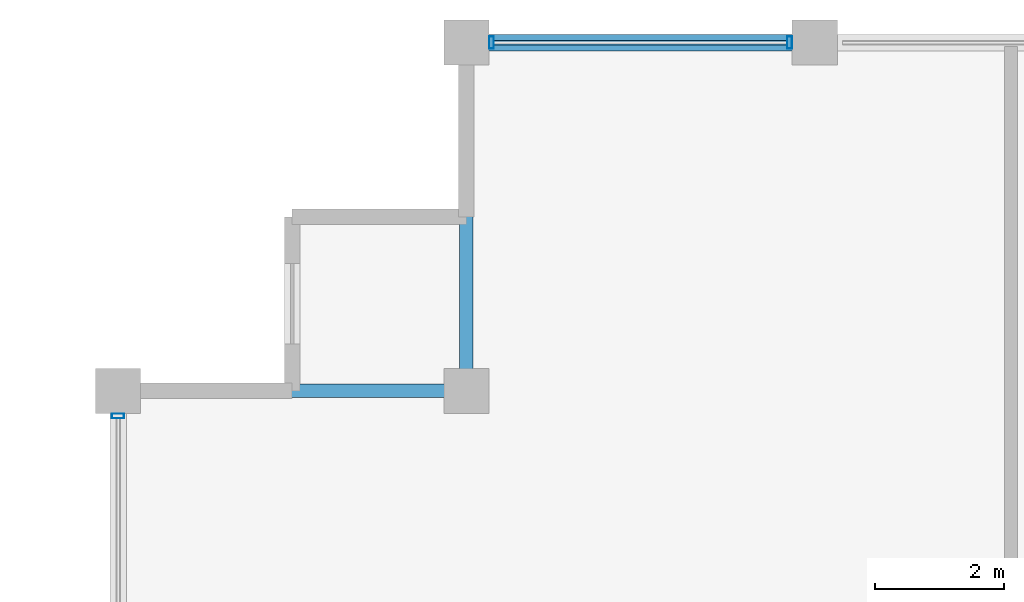
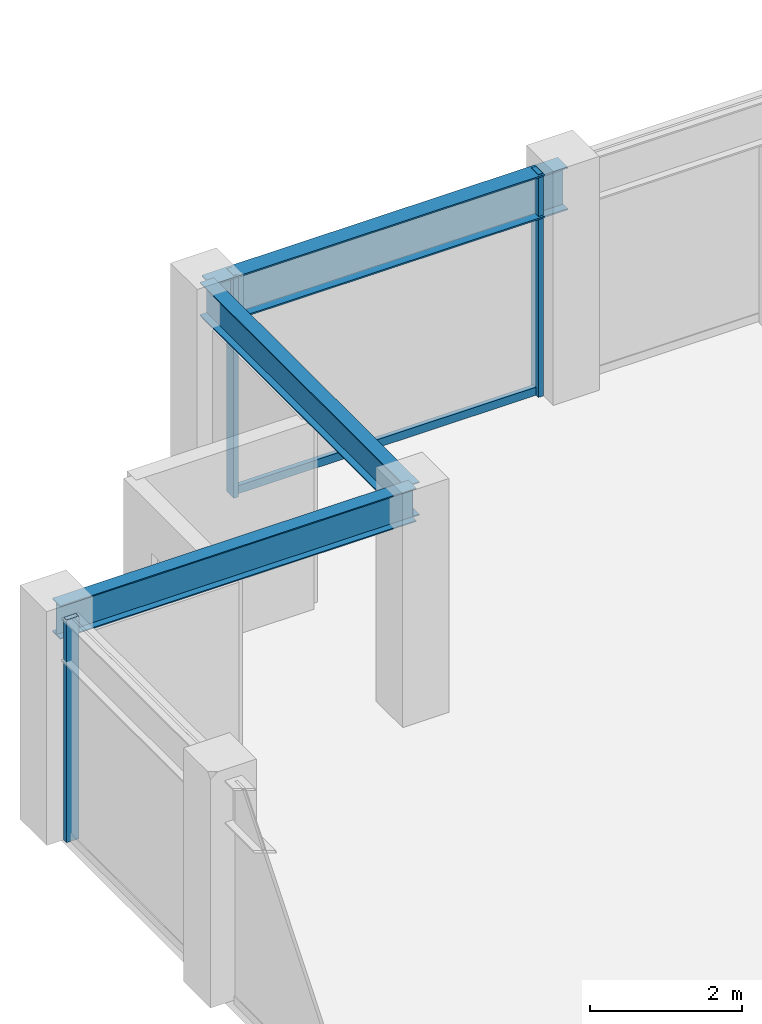
# One storey, part 15 of 30: 4 members, 3 beams, 2 elements without a shape of their own.
"""IFC4 building model written with IfcOpenShell, lengths in metres."""

import ifcopenshell
import ifcopenshell.guid

model = None  # the IFC model being written
_history = None  # IfcOwnerHistory: only IFC2X3 demands one
_inside = {}  # id of a spatial element -> (the spatial element, [elements in it])
_under = {}  # id of a project, library or spatial element -> (it, [spatial elements below it])
_declared = {}  # id of a project -> (the project, [libraries it declares])
_typed = {}  # id of a type object -> (the type object, [elements of that type])
_made_of = {}  # id of a material, layer set ... -> (it, [elements and type objects made of it])


def new_model(schema):
    """Start an empty IFC model of exactly this schema.

    Asked for "IFC4X3", IfcOpenShell would pick the latest addendum, in which some entities
    have other attributes; the version numbers below select the first issue.
    IFC2X3 requires an IfcOwnerHistory on every rooted entity: one is made here for all.
    """
    global model, _history
    if schema == "IFC4X3":
        model = ifcopenshell.file(schema_version=(4, 3, 0, 0))
    else:
        model = ifcopenshell.file(schema=schema)
    _inside.clear()
    _under.clear()
    _declared.clear()
    _typed.clear()
    _made_of.clear()
    _history = None
    if model.schema == "IFC2X3":
        org = make("IfcOrganization", Name="unknown")
        user = make(
            "IfcPersonAndOrganization",
            ThePerson=make("IfcPerson", FamilyName="unknown"),
            TheOrganization=org,
        )
        app = make(
            "IfcApplication",
            ApplicationDeveloper=org,
            Version="unknown",
            ApplicationFullName="unknown",
            ApplicationIdentifier="unknown",
        )
        _history = make(
            "IfcOwnerHistory",
            OwningUser=user,
            OwningApplication=app,
            ChangeAction="ADDED",
            CreationDate=0,
        )
    return model


def make(cls, **values):
    """One entity of the class cls with the attributes given. An attribute that is None is left unset."""
    return model.create_entity(
        cls, **{name: value for name, value in values.items() if value is not None}
    )


def rooted(cls, **values):
    """An entity with a GlobalId (a new one), such as an element, a storey or a relation."""
    return make(cls, GlobalId=ifcopenshell.guid.new(), OwnerHistory=_history, **values)


def si_unit(unit_type, name, prefix=None):
    """IfcSIUnit, for example si_unit("LENGTHUNIT", "METRE", prefix="MILLI")."""
    return make("IfcSIUnit", UnitType=unit_type, Prefix=prefix, Name=name)


def assignment(units):
    """IfcUnitAssignment: the units of a project."""
    return None if units is None else make("IfcUnitAssignment", Units=units)


def point(xyz):
    """IfcCartesianPoint."""
    return None if xyz is None else make("IfcCartesianPoint", Coordinates=xyz)


def direction(xyz):
    """IfcDirection."""
    return None if xyz is None else make("IfcDirection", DirectionRatios=xyz)


def frame(location, z_axis=None, x_axis=None):
    """IfcAxis2Placement3D, a coordinate frame: its origin and axes. An axis left out is left unset."""
    return make(
        "IfcAxis2Placement3D",
        Location=point(location),
        Axis=direction(z_axis),
        RefDirection=direction(x_axis),
    )


def frame_2d(location, x_axis=None):
    """IfcAxis2Placement2D, a coordinate frame in the plane: its origin and x axis."""
    return make(
        "IfcAxis2Placement2D", Location=point(location), RefDirection=direction(x_axis)
    )


def origin():
    """The frame at (0, 0, 0) with its axes left unset."""
    return frame((0.0, 0.0, 0.0))


def origin_2d():
    """The frame at (0, 0) in the plane with its x axis left unset."""
    return frame_2d((0.0, 0.0))


def place(relative_to, where):
    """IfcLocalPlacement: puts the frame where relative to a parent placement (None: the world)."""
    return make(
        "IfcLocalPlacement", PlacementRelTo=relative_to, RelativePlacement=where
    )


def context(
    kind, dimensions, precision=None, world=None, true_north=None, identifier=None
):
    """IfcGeometricRepresentationContext, for example the 3D "Model" context."""
    return make(
        "IfcGeometricRepresentationContext",
        ContextIdentifier=identifier,
        ContextType=kind,
        CoordinateSpaceDimension=dimensions,
        Precision=precision,
        WorldCoordinateSystem=world,
        TrueNorth=true_north,
    )


def subcontext(parent, identifier, kind, view, scale=None):
    """IfcGeometricRepresentationSubContext, for example "Body" below "Model"."""
    return make(
        "IfcGeometricRepresentationSubContext",
        ContextIdentifier=identifier,
        ContextType=kind,
        ParentContext=parent,
        TargetScale=scale,
        TargetView=view,
    )


def project(units=None, contexts=None):
    """IfcProject with its units and contexts."""
    return rooted(
        "IfcProject",
        Name="project",
        RepresentationContexts=contexts,
        UnitsInContext=assignment(units),
    )


def spatial(cls, under=None, at=None, **own):
    """A site, building, storey or space (cls), placed at a placement, below another one or the project."""
    s = rooted(cls, ObjectPlacement=at, **own)
    if under is not None:
        _under.setdefault(under.id(), (under, []))[1].append(s)
    return s


def profile(cls, at=None, kind="AREA", **sizes):
    """A parametric profile (cls). Its sizes go by their IFC names, for example OverallWidth=200.0."""
    return make(cls, ProfileType=kind, Position=at, **sizes)


def hollow_rectangle(**sizes):
    """IfcRectangleHollowProfileDef."""
    return profile("IfcRectangleHollowProfileDef", **sizes)


def i_section(**sizes):
    """IfcIShapeProfileDef."""
    return profile("IfcIShapeProfileDef", **sizes)


def extrude(swept, where, along, depth):
    """IfcExtrudedAreaSolid: the profile swept, set in the frame where, extruded along a direction by depth."""
    return make(
        "IfcExtrudedAreaSolid",
        SweptArea=swept,
        Position=where,
        ExtrudedDirection=direction(along),
        Depth=depth,
    )


def shape(context_of_items, identifier, shape_type, items):
    """IfcShapeRepresentation: the items that make up one representation, for example the "Body"."""
    return make(
        "IfcShapeRepresentation",
        ContextOfItems=context_of_items,
        RepresentationIdentifier=identifier,
        RepresentationType=shape_type,
        Items=items,
    )


def material(Name=None, Category=None):
    """IfcMaterial."""
    return make("IfcMaterial", Name=Name, Category=Category)


def layer(
    of_material, thickness, ventilated=None, Name=None, Category=None, Priority=None
):
    """IfcMaterialLayer: one layer of a wall or slab, of a material (None: an air gap)."""
    return make(
        "IfcMaterialLayer",
        Material=of_material,
        LayerThickness=thickness,
        IsVentilated=ventilated,
        Name=Name,
        Category=Category,
        Priority=Priority,
    )


def layer_set(layers, Name=None):
    """IfcMaterialLayerSet."""
    return make("IfcMaterialLayerSet", MaterialLayers=layers, LayerSetName=Name)


def material_profile(
    of_material, cross_section, Name=None, Category=None, Priority=None
):
    """IfcMaterialProfile: a cross section and its material."""
    return make(
        "IfcMaterialProfile",
        Name=Name,
        Material=of_material,
        Profile=cross_section,
        Priority=Priority,
        Category=Category,
    )


def profile_set(profiles, Name=None, composite=None):
    """IfcMaterialProfileSet."""
    return make(
        "IfcMaterialProfileSet",
        Name=Name,
        MaterialProfiles=profiles,
        CompositeProfile=composite,
    )


def made_of(thing, what):
    """Note that an element or type object is made of a material, layer set ...; save() writes the relation."""
    if what is not None:
        _made_of.setdefault(what.id(), (what, []))[1].append(thing)
    return thing


def type_object(cls, material=None, **own):
    """A type object (cls), such as IfcWallType, which elements share."""
    return made_of(rooted(cls, **own), material)


def element(
    cls,
    number,
    at=None,
    inside=None,
    cuts=None,
    type_object=None,
    material=None,
    context=None,
    identifier="Body",
    shape_type=None,
    held_by="IfcProductDefinitionShape",
    body=None,
    shapes=None,
    **own,
):
    """One element of the class cls, such as IfcWall. Its Tag is "e" and its number.

    at: its placement. inside: the storey or other place that contains it. cuts: it is an
    opening in that element (IfcRelVoidsElement). A single representation is given by context,
    identifier, shape_type and body (its items); several are given by shapes. held_by: the class
    of the entity that holds the representations. save() writes the other relations.
    """
    e = rooted(cls, Tag="e%d" % number, ObjectPlacement=at, **own)
    if body is not None:
        shapes = [shape(context, identifier, shape_type, body)]
    if shapes is not None:
        e.Representation = make(held_by, Representations=shapes)
    if inside is not None:
        _inside.setdefault(inside.id(), (inside, []))[1].append(e)
    if cuts is not None:
        rooted(
            "IfcRelVoidsElement", RelatingBuildingElement=cuts, RelatedOpeningElement=e
        )
    if type_object is not None:
        _typed.setdefault(type_object.id(), (type_object, []))[1].append(e)
    return made_of(e, material)


def aggregate(whole, parts):
    """IfcRelAggregates: a whole, such as a stair, and the parts it consists of."""
    return rooted("IfcRelAggregates", RelatingObject=whole, RelatedObjects=parts)


def save(model, path):
    """Write the relations noted so far, then the file.

    IfcRelAggregates (storeys below a building ...), IfcRelContainedInSpatialStructure (elements
    in a storey), IfcRelDefinesByType, IfcRelAssociatesMaterial and IfcRelDeclares: one each for
    every whole, place, type object, material and project.
    """
    for whole, parts in _under.values():
        aggregate(whole, parts)
    for where, things in _inside.values():
        rooted(
            "IfcRelContainedInSpatialStructure",
            RelatedElements=things,
            RelatingStructure=where,
        )
    for kind, things in _typed.values():
        rooted("IfcRelDefinesByType", RelatedObjects=things, RelatingType=kind)
    for what, things in _made_of.values():
        rooted("IfcRelAssociatesMaterial", RelatedObjects=things, RelatingMaterial=what)
    for by, libraries in _declared.values():
        rooted("IfcRelDeclares", RelatingContext=by, RelatedDefinitions=libraries)
    model.write(path)


model = new_model("IFC4")

# Units and contexts
model_context = context("Model", 3, precision=1e-05, world=origin(), true_north=direction((0.0, 1.0)))
body_context = subcontext(model_context, "Body", "Model", "MODEL_VIEW")
ifc_project = project(units=[si_unit("LENGTHUNIT", "METRE"), si_unit("AREAUNIT", "SQUARE_METRE"), si_unit("VOLUMEUNIT", "CUBIC_METRE"), si_unit("PLANEANGLEUNIT", "RADIAN"), si_unit("MASSUNIT", "GRAM", prefix="KILO")], contexts=[model_context])

# Site, building, storey
site_placement = place(None, origin())
site = spatial("IfcSite", under=ifc_project, at=site_placement, CompositionType="ELEMENT")
building_placement = place(site_placement, origin())
building = spatial("IfcBuilding", under=site, at=building_placement, Name="Surkhivell Harbour Commons", CompositionType="ELEMENT")
storey_placement = place(building_placement, frame((0.0, 0.0, 307.5)))
storey = spatial("IfcBuildingStorey", under=building, at=storey_placement, Name="L80", CompositionType="ELEMENT", Elevation=307.5)

# Beams
ifc_material_1 = material(Name="Steel S355", Category="steel")
ifc_material_profile_1 = material_profile(ifc_material_1, i_section(OverallWidth=0.2099609375, OverallDepth=0.537109375, WebThickness=0.0107421875, FlangeThickness=0.017333984375, at=origin_2d()), Name="UB533x210x101")
ifc_profile_set_1 = profile_set([ifc_material_profile_1], Name="Steel S355")
beam_type_1 = type_object("IfcBeamType", Name="BM-GRD-533B", PredefinedType="BEAM", material=ifc_profile_set_1)
for number, where, z_axis, x_axis, name in (
    (1, (-27.0, 20.5, 3.301513671875), (1.0, 0.0, 0.0), (0.0, 1.0, 0.0), "L80 Floor Girder (-27.0,20.5)"),
    (2, (-21.60009765625, 20.5, 3.301513671875), (0.0, 1.0, 0.0), (-1.0, 0.0, 0.0), "L80 Floor Girder (-21.6,20.5)"),
):
    element("IfcBeam", number, at=place(storey_placement, frame(where, z_axis=z_axis, x_axis=x_axis)), inside=storey, type_object=beam_type_1, Name=name, PredefinedType="BEAM", context=body_context, shape_type="SweptSolid", body=[
        extrude(i_section(OverallWidth=0.2099609375, OverallDepth=0.537109375, WebThickness=0.0107421875, FlangeThickness=0.017333984375, at=origin_2d()), origin(), (0.0, 0.0, 1.0), 5.39990234375),
    ])
ifc_material_profile_2 = material_profile(ifc_material_1, i_section(OverallWidth=0.256103515625, OverallDepth=0.693115234375, WebThickness=0.014404296875, FlangeThickness=0.023681640625, at=origin_2d()), Name="UB686x254x170")
ifc_profile_set_2 = profile_set([ifc_material_profile_2], Name="Steel S355")
beam_type_2 = type_object("IfcBeamType", Name="BM-SPN-686", PredefinedType="SPANDREL", material=ifc_profile_set_2)
beam_placement = place(storey_placement, frame((-21.60009765625, 25.89990234375, 3.223388671875), z_axis=(1.0, 0.0, 0.0), x_axis=(0.0, 1.0, 0.0)))
element("IfcBeam", 3, at=beam_placement, inside=storey, type_object=beam_type_2, Name="L80 Tube Spandrel (-21.6,25.9)", PredefinedType="SPANDREL", context=body_context, shape_type="SweptSolid", body=[
    extrude(i_section(OverallWidth=0.256103515625, OverallDepth=0.693115234375, WebThickness=0.014404296875, FlangeThickness=0.023681640625, at=origin_2d()), origin(), (0.0, 0.0, 1.0), 5.400146484375),
])

# Curtain wall, members
ifc_material_2 = material(Name="Anodised pale-metal aluminium and insulated glazing", Category="aluminium")
ifc_layer = layer(ifc_material_2, 0.175048828125)
ifc_layer_set = layer_set([ifc_layer], Name="Anodised pale-metal aluminium and insulated glazing")
curtain_wall_type = type_object("IfcCurtainWallType", Name="CW-SYS-Z4", PredefinedType="NOTDEFINED", material=ifc_layer_set)
curtain_wall_1_placement = place(storey_placement, origin())
curtain_wall_1 = element("IfcCurtainWall", 4, at=curtain_wall_1_placement, inside=storey, type_object=curtain_wall_type, Name="L80 Curtain Wall CW-L80-E07S2", PredefinedType="NOTDEFINED")
ifc_material_3 = material(Name="Anodised pale-metal aluminium alloy 6063-T6", Category="aluminium")
ifc_material_profile_3 = material_profile(ifc_material_3, hollow_rectangle(XDim=0.074951171875, YDim=0.18994140625, WallThickness=0.00390625, at=origin_2d()), Name="ALU-MULL-75x190")
ifc_profile_set_3 = profile_set([ifc_material_profile_3], Name="Anodised pale-metal aluminium alloy 6063-T6")
member_type_1 = type_object("IfcMemberType", Name="CWM-190", PredefinedType="MULLION", material=ifc_profile_set_3)
member_1_placement = place(storey_placement, frame((-16.589599609375, 25.89990234375, 0.0), z_axis=(0.0, 0.0, 1.0), x_axis=(-1.0, 0.0, 0.0)))
member_1 = element("IfcMember", 5, at=member_1_placement, type_object=member_type_1, Name="CW-Z4 mullion 3", PredefinedType="MULLION", context=body_context, shape_type="SweptSolid", body=[
    extrude(hollow_rectangle(XDim=0.074951171875, YDim=0.18994140625, WallThickness=0.00390625, at=origin_2d()), origin(), (0.0, 0.0, 1.0), 3.570068359375),
])
member_2_placement = place(storey_placement, frame((-21.21044921875, 25.89990234375, 0.0), z_axis=(0.0, 0.0, 1.0), x_axis=(-1.0, 0.0, 0.0)))
member_2 = element("IfcMember", 6, at=member_2_placement, type_object=member_type_1, Name="CW-Z4 mullion 4", PredefinedType="MULLION", context=body_context, shape_type="SweptSolid", body=[
    extrude(hollow_rectangle(XDim=0.074951171875, YDim=0.18994140625, WallThickness=0.00390625, at=origin_2d()), origin(), (0.0, 0.0, 1.0), 3.570068359375),
])

# Curtain wall, member
curtain_wall_2_placement = place(storey_placement, origin())
curtain_wall_2 = element("IfcCurtainWall", 7, at=curtain_wall_2_placement, inside=storey, type_object=curtain_wall_type, Name="L80 Curtain Wall CW-L80-E12R2", PredefinedType="NOTDEFINED")
member_3_placement = place(storey_placement, frame((-27.0, 20.110595703125, 0.0), z_axis=(0.0, 0.0, 1.0), x_axis=(0.0, 1.0, 0.0)))
member_3 = element("IfcMember", 8, at=member_3_placement, type_object=member_type_1, Name="CW-Z4 mullion 4", PredefinedType="MULLION", context=body_context, shape_type="SweptSolid", body=[
    extrude(hollow_rectangle(XDim=0.074951171875, YDim=0.18994140625, WallThickness=0.00390625, at=origin_2d()), origin(), (0.0, 0.0, 1.0), 3.570068359375),
])
aggregate(curtain_wall_2, [member_3])

# Member
ifc_material_4 = material(Name="Champagne anodised aluminium alloy 6063-T6", Category="aluminium")
ifc_material_profile_4 = material_profile(ifc_material_4, hollow_rectangle(XDim=0.070068359375, YDim=0.1298828125, WallThickness=0.00341796875, at=origin_2d()), Name="ALU-TRAN-70x130")
ifc_profile_set_4 = profile_set([ifc_material_profile_4], Name="Champagne anodised aluminium alloy 6063-T6")
member_type_2 = type_object("IfcMemberType", Name="CWT-130", PredefinedType="USERDEFINED", material=ifc_profile_set_4)
member_4_placement = place(storey_placement, frame((-16.626953125, 25.89990234375, 0.06494140625), z_axis=(-1.0, 0.0, 0.0), x_axis=(0.0, -1.0, 0.0)))
member_4 = element("IfcMember", 9, at=member_4_placement, type_object=member_type_2, Name="CW-Z4 transom 3.1", ObjectType="TRANSOM", PredefinedType="USERDEFINED", context=body_context, shape_type="SweptSolid", body=[
    extrude(hollow_rectangle(XDim=0.070068359375, YDim=0.1298828125, WallThickness=0.00341796875, at=origin_2d()), origin(), (0.0, 0.0, 1.0), 4.546142578125),
])

aggregate(curtain_wall_1, [member_1, member_2, member_4])

save(model, "model.ifc")
